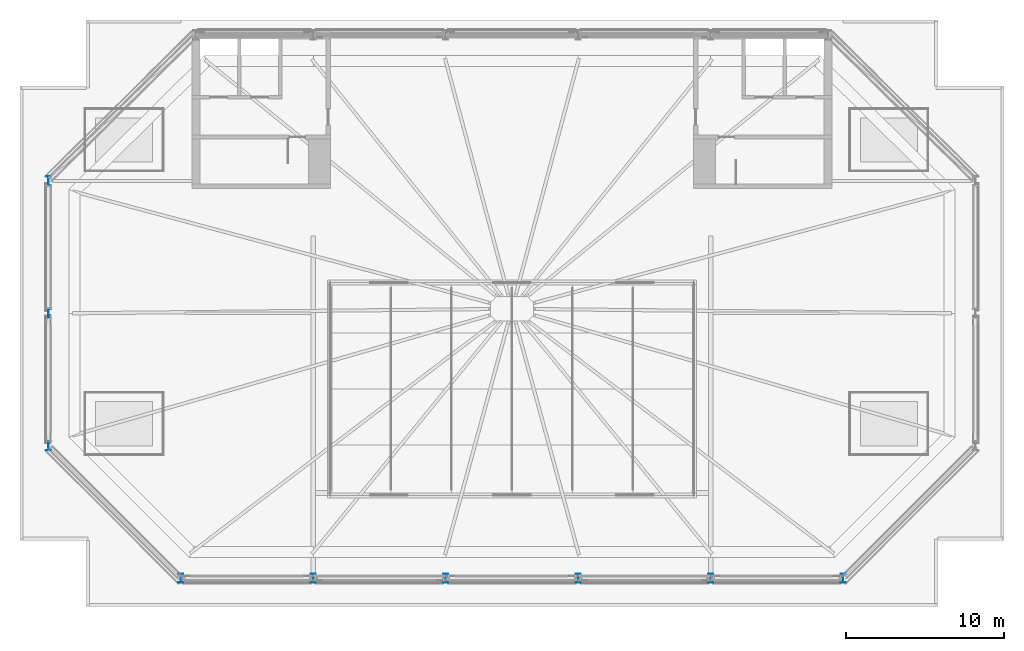
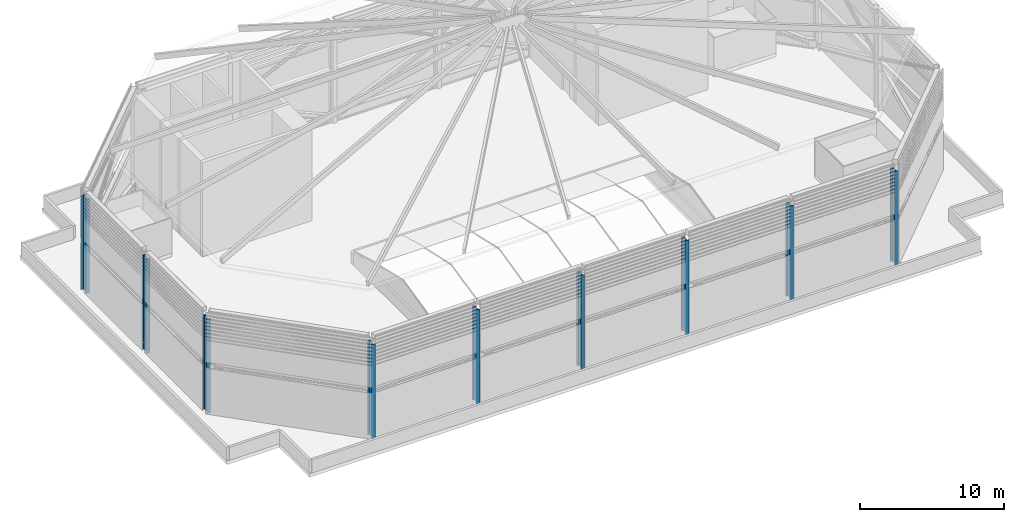
# One storey, part 1 of 22: 9 columns.
"""IFC4 building model written with IfcOpenShell, lengths in metres."""

from ifc_helpers import new_model, si_unit, direction, frame, origin, origin_2d, place, context, subcontext, project, spatial, i_section, extrude, material, material_profile, profile_set, type_object, element, save


model = new_model("IFC4")

# Units and contexts
model_context = context("Model", 3, precision=1e-05, world=origin(), true_north=direction((0.0, 1.0)))
body_context = subcontext(model_context, "Body", "Model", "MODEL_VIEW")
ifc_project = project(units=[si_unit("LENGTHUNIT", "METRE"), si_unit("AREAUNIT", "SQUARE_METRE"), si_unit("VOLUMEUNIT", "CUBIC_METRE"), si_unit("PLANEANGLEUNIT", "RADIAN"), si_unit("MASSUNIT", "GRAM", prefix="KILO")], contexts=[model_context])

# Site, building, storey
site_placement = place(None, origin())
site = spatial("IfcSite", under=ifc_project, at=site_placement, CompositionType="ELEMENT")
building_placement = place(site_placement, origin())
building = spatial("IfcBuilding", under=site, at=building_placement, Name="Saffron Gate Tower", CompositionType="ELEMENT")
storey_placement = place(building_placement, frame((0.0, 0.0, 314.85009765625)))
storey = spatial("IfcBuildingStorey", under=building, at=storey_placement, Name="Roof crown", CompositionType="ELEMENT", Elevation=314.85009765625)

# Columns
ifc_material = material(Name="Structural steel S355", Category="steel")
ifc_material_profile = material_profile(ifc_material, i_section(OverallWidth=0.300048828125, OverallDepth=0.60009765625, WebThickness=0.015380859375, FlangeThickness=0.030029296875, FilletRadius=0.027099609375, at=origin_2d()))
ifc_profile_set = profile_set([ifc_material_profile], Name="Structural steel S355")
column_type = type_object("IfcColumnType", Name="CF3 HEB 600", PredefinedType="COLUMN", material=ifc_profile_set)
for number, where, z_axis, x_axis, name in (
    (1, (66.60009765625, 40.199951171875, 0.0), (0.0, 0.0, 1.0), (1.0, 0.0, 0.0), "CF3 CROWN FRAME POST"),
    (2, (75.0, 40.199951171875, 0.0), (0.0, 0.0, 1.0), (1.0, 0.0, 0.0), "CF3 CROWN FRAME POST"),
    (3, (83.39990234375, 40.199951171875, 0.0), (0.0, 0.0, 1.0), (1.0, 0.0, 0.0), "CF3 CROWN FRAME POST"),
    (4, (91.800048828125, 40.199951171875, 0.0), (0.0, 0.0, 1.0), (1.0, 0.0, 0.0), "CF3 CROWN FRAME POST"),
    (5, (100.199951171875, 40.199951171875, 0.0), (0.0, 0.0, 1.0), (1.0, 0.0, 0.0), "CF3 CROWN FRAME POST"),
    (6, (108.60009765625, 40.199951171875, 0.0), (0.0, 0.0, 1.0), (1.0, 0.0, 0.0), "CF3 CROWN FRAME POST"),
    (7, (58.199951171875, 65.39990234375, 0.0), (0.0, 0.0, 1.0), (1.0, 0.0, 0.0), "CF3 CROWN FRAME POST"),
    (8, (58.199951171875, 57.0, 0.0), (0.0, 0.0, 1.0), (1.0, 0.0, 0.0), "CF3 CROWN FRAME POST"),
    (9, (58.199951171875, 48.60009765625, 0.0), (0.0, 0.0, 1.0), (1.0, 0.0, 0.0), "CF3 CROWN FRAME POST"),
):
    element("IfcColumn", number, at=place(storey_placement, frame(where, z_axis=z_axis, x_axis=x_axis)), inside=storey, type_object=column_type, Name=name, PredefinedType="COLUMN", context=body_context, shape_type="SweptSolid", body=[
        extrude(i_section(OverallWidth=0.300048828125, OverallDepth=0.60009765625, WebThickness=0.015380859375, FlangeThickness=0.030029296875, FilletRadius=0.027099609375, at=origin_2d()), origin(), (0.0, 0.0, 1.0), 8.0),
    ])

save(model, "model.ifc")
